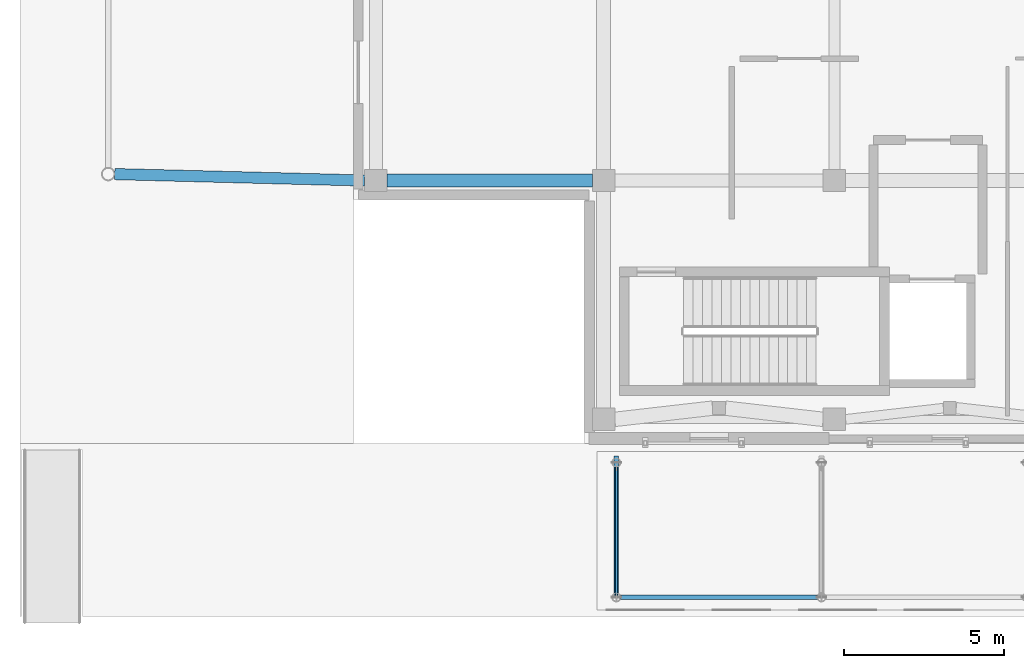
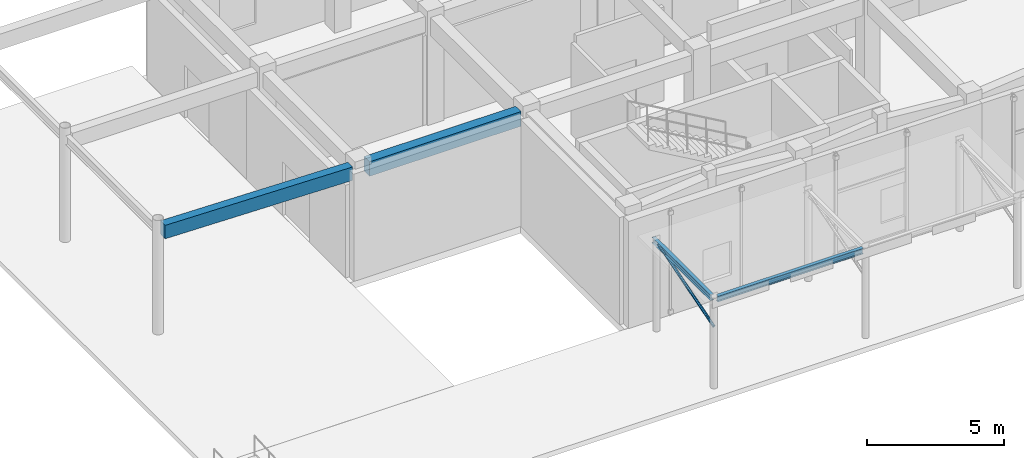
# One storey, part 15 of 121: 4 beams, 1 member.
"""IFC4 building model written with IfcOpenShell, lengths in metres."""

from ifc_helpers import new_model, si_unit, direction, frame, origin, origin_2d, place, context, subcontext, project, spatial, rectangle, hollow_circle, i_section, extrude, material, material_profile, profile_set, type_object, element, save


model = new_model("IFC4")

# Units and contexts
model_context = context("Model", 3, precision=1e-05, world=origin(), true_north=direction((0.0, 1.0)))
body_context = subcontext(model_context, "Body", "Model", "MODEL_VIEW")
ifc_project = project(units=[si_unit("LENGTHUNIT", "METRE"), si_unit("AREAUNIT", "SQUARE_METRE"), si_unit("VOLUMEUNIT", "CUBIC_METRE"), si_unit("PLANEANGLEUNIT", "RADIAN"), si_unit("MASSUNIT", "GRAM", prefix="KILO")], contexts=[model_context])

# Site, building, storey
site_placement = place(None, origin())
site = spatial("IfcSite", under=ifc_project, at=site_placement, CompositionType="ELEMENT")
building_placement = place(site_placement, origin())
building = spatial("IfcBuilding", under=site, at=building_placement, Name="Valcora Specialist Clinic", CompositionType="ELEMENT")
storey_placement = place(building_placement, origin())
storey = spatial("IfcBuildingStorey", under=building, at=storey_placement, Name="L00", CompositionType="ELEMENT", Elevation=0.0)

# Beams
ifc_material_1 = material(Name="Steel ASTM A992 Grade 50", Category="steel")
ifc_material_profile_1 = material_profile(ifc_material_1, i_section(OverallWidth=0.14599609375, OverallDepth=0.25390625, WebThickness=0.006103515625, FlangeThickness=0.009033203125, at=origin_2d()), Name="ST-IR-250X145")
ifc_profile_set_1 = profile_set([ifc_material_profile_1], Name="Steel ASTM A992 Grade 50")
beam_type_1 = type_object("IfcBeamType", Name="TY-BM-IR250", PredefinedType="BEAM", material=ifc_profile_set_1)
beam_1_placement = place(storey_placement, frame((16.72998046875, -4.800048828125, 3.908935546875), z_axis=(1.0, 0.0, 0.0), x_axis=(0.0, 1.0, 0.0)))
element("IfcBeam", 1, at=beam_1_placement, inside=storey, type_object=beam_type_1, Name="Canopy beam BM-L00-1636", PredefinedType="BEAM", context=body_context, shape_type="SweptSolid", body=[
    extrude(i_section(OverallWidth=0.14599609375, OverallDepth=0.25390625, WebThickness=0.006103515625, FlangeThickness=0.009033203125, at=origin_2d()), origin(), (0.0, 0.0, 1.0), 6.14013671875),
])
beam_2_placement = place(storey_placement, frame((16.60009765625, -4.669921875, 3.908935546875), z_axis=(0.0, 1.0, 0.0), x_axis=(-1.0, 0.0, 0.0)))
element("IfcBeam", 2, at=beam_2_placement, inside=storey, type_object=beam_type_1, Name="Canopy outrigger BM-L00-1638", PredefinedType="BEAM", context=body_context, shape_type="SweptSolid", body=[
    extrude(i_section(OverallWidth=0.14599609375, OverallDepth=0.25390625, WebThickness=0.006103515625, FlangeThickness=0.009033203125, at=origin_2d()), origin(), (0.0, 0.0, 1.0), 4.27001953125),
])
ifc_material_2 = material(Name="Concrete C40/50", Category="concrete")
ifc_material_profile_2 = material_profile(ifc_material_2, rectangle(XDim=0.35009765625, YDim=0.60009765625, at=origin_2d()), Name="RC-BM-350X600")
ifc_profile_set_2 = profile_set([ifc_material_profile_2], Name="Concrete C40/50")
beam_type_2 = type_object("IfcBeamType", Name="TY-BM-RC350X600", PredefinedType="BEAM", material=ifc_profile_set_2)
beam_3_placement = place(storey_placement, frame((0.952880859375, 8.39990234375, 4.485107421875), z_axis=(0.999671348641, -0.025635809078, 0.0), x_axis=(0.025635809078, 0.999671348641, 0.0)))
element("IfcBeam", 3, at=beam_3_placement, inside=storey, type_object=beam_type_2, Name="Beam BM-L00-0890", PredefinedType="BEAM", context=body_context, shape_type="SweptSolid", body=[
    extrude(rectangle(XDim=0.35009765625, YDim=0.60009765625, at=origin_2d()), origin(), (0.0, 0.0, 1.0), 7.799560546875),
])
ifc_material_profile_3 = material_profile(ifc_material_2, rectangle(XDim=0.39990234375, YDim=0.64990234375, at=origin_2d()), Name="RC-BM-400X650")
ifc_profile_set_3 = profile_set([ifc_material_profile_3], Name="Concrete C40/50")
beam_type_3 = type_object("IfcBeamType", Name="TY-BM-RC400X650", PredefinedType="BEAM", material=ifc_profile_set_3)
beam_4_placement = place(storey_placement, frame((9.449951171875, 8.199951171875, 4.4599609375), z_axis=(1.0, 0.0, 0.0), x_axis=(0.0, 1.0, 0.0)))
element("IfcBeam", 4, at=beam_4_placement, inside=storey, type_object=beam_type_3, Name="Beam BM-L00-0891", PredefinedType="BEAM", context=body_context, shape_type="SweptSolid", body=[
    extrude(rectangle(XDim=0.39990234375, YDim=0.64990234375, at=origin_2d()), origin(), (0.0, 0.0, 1.0), 6.400146484375),
])

# Member
ifc_material_3 = material(Name="Steel ASTM A500 Grade C", Category="steel")
ifc_material_profile_4 = material_profile(ifc_material_3, hollow_circle(Radius=0.056884765625, WallThickness=0.006103515625, at=origin_2d()), Name="ST-CHS-114X6")
ifc_profile_set_4 = profile_set([ifc_material_profile_4], Name="Steel ASTM A500 Grade C")
member_type = type_object("IfcMemberType", Name="TY-MB-ST114", PredefinedType="STRUT", material=ifc_profile_set_4)
member_placement = place(storey_placement, frame((16.60009765625, -4.800048828125, 2.699951171875), z_axis=(0.0, 0.958218068217, 0.286038692737), x_axis=(-1.0, 0.0, 0.0)))
element("IfcMember", 5, at=member_placement, inside=storey, type_object=member_type, Name="Canopy support strut MB-L00-0785", PredefinedType="STRUT", context=body_context, shape_type="SweptSolid", body=[
    extrude(hollow_circle(Radius=0.056884765625, WallThickness=0.006103515625, at=origin_2d()), origin(), (0.0, 0.0, 1.0), 4.2265625),
])

save(model, "model.ifc")
